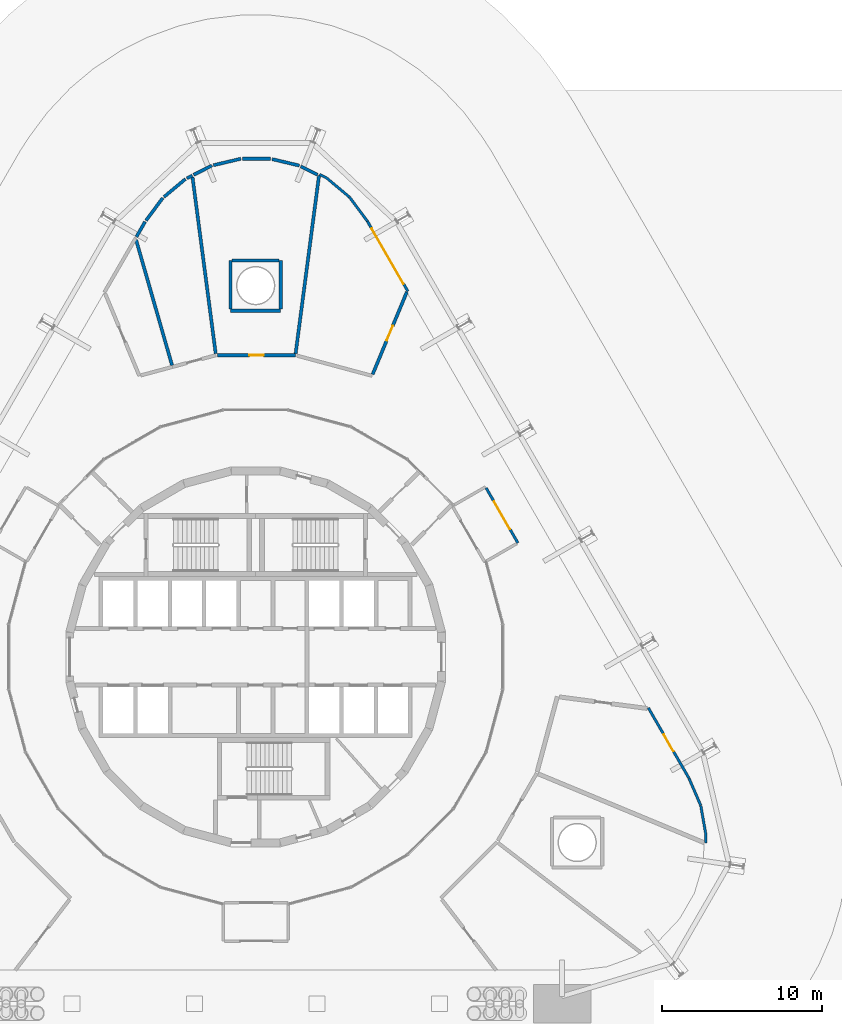
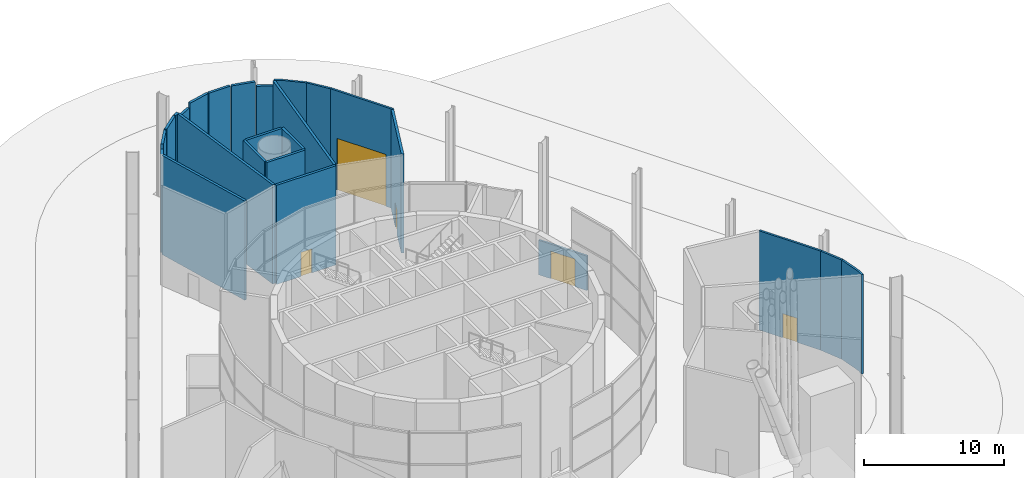
# One storey, part 18 of 21: 25 walls, 5 doors, 5 openings.
"""IFC4 building model written with IfcOpenShell, lengths in metres."""

from ifc_helpers import new_model, si_unit, direction, frame, frame_2d, origin, place, context, subcontext, project, spatial, polyline, rectangle, outline, extrude, material, layer, layer_set, type_object, element, fill, save


model = new_model("IFC4")

# Units and contexts
model_context = context("Model", 3, precision=1e-05, world=origin(), true_north=direction((0.0, 1.0)))
body_context = subcontext(model_context, "Body", "Model", "MODEL_VIEW")
ifc_project = project(units=[si_unit("LENGTHUNIT", "METRE"), si_unit("AREAUNIT", "SQUARE_METRE"), si_unit("VOLUMEUNIT", "CUBIC_METRE"), si_unit("PLANEANGLEUNIT", "RADIAN"), si_unit("MASSUNIT", "GRAM", prefix="KILO")], contexts=[model_context])

# Site, building, storey
site_placement = place(None, origin())
site = spatial("IfcSite", under=ifc_project, at=site_placement, CompositionType="ELEMENT")
building_placement = place(site_placement, origin())
building = spatial("IfcBuilding", under=site, at=building_placement, Name="Spindle Arch Residences", CompositionType="ELEMENT")
storey_placement = place(building_placement, origin())
storey = spatial("IfcBuildingStorey", under=building, at=storey_placement, Name="L00", CompositionType="ELEMENT", Elevation=0.0)

# Wall, opening, door
ifc_material_1 = material(Name="Non-combustible mineral wool insulated aluminium faced external wall (K0)", Category="aluminium")
ifc_layer_1 = layer(ifc_material_1, 0.159912109375)
ifc_layer_set_1 = layer_set([ifc_layer_1], Name="Entrance vestibule wall 160")
wall_type_1 = type_object("IfcWallType", Name="Entrance vestibule wall 160", PredefinedType="STANDARD", material=ifc_layer_set_1)
wall_1_placement = place(storey_placement, frame((9.5380859375, 22.8994140625, 0.0), z_axis=(0.0, 0.0, 1.0), x_axis=(-0.499994189038, 0.866028758719, 0.0)))
wall_1 = element("IfcWall", 1, at=wall_1_placement, inside=storey, type_object=wall_type_1, Name="External wall Loading bay", PredefinedType="STANDARD", context=body_context, shape_type="SweptSolid", body=[
    extrude(rectangle(XDim=5.0810546875, YDim=0.159912109375, at=frame_2d((2.54052734375, 0.0))), origin(), (0.0, 0.0, 1.0), 8.6201171875),
])
opening_1_placement = place(wall_1_placement, frame((0.541015625, 0.0, 0.0)))
opening_1 = element("IfcOpeningElement", 2, at=opening_1_placement, cuts=wall_1, Name="Opening LOADING-DOOR", PredefinedType="OPENING", context=body_context, shape_type="SweptSolid", body=[
    extrude(rectangle(XDim=4.0, YDim=4.5, at=frame_2d((2.0, 2.25))), frame((0.0, 0.08984375, 0.0), z_axis=(0.0, -1.0, 0.0), x_axis=(1.0, 0.0, 0.0)), (0.0, 0.0, 1.0), 0.179931640625),
])
ifc_material_2 = material(Name="Insulated aluminium roller shutter", Category="aluminium")
door_type_1 = type_object("IfcDoorType", Name="Loading bay roller shutter door 4000x4500", OperationType="ROLLINGUP", PredefinedType="DOOR", material=ifc_material_2)
door_1_placement = place(opening_1_placement, origin())
door_1 = element("IfcDoor", 3, at=door_1_placement, inside=storey, type_object=door_type_1, Name="Loading bay door", OperationType="ROLLINGUP", OverallHeight=4.5, OverallWidth=4.0, PredefinedType="DOOR", context=body_context, shape_type="SweptSolid", body=[
    extrude(rectangle(XDim=4.0, YDim=4.5, at=frame_2d((2.0, 2.25))), frame((0.0, 0.02490234375, 0.0), z_axis=(0.0, -1.0, 0.0), x_axis=(1.0, 0.0, 0.0)), (0.0, 0.0, 1.0), 0.050048828125),
])
fill(opening_1, door_1)

# Walls
wall_2_placement = place(storey_placement, origin())
element("IfcWall", 4, at=wall_2_placement, inside=storey, type_object=wall_type_1, Name="External wall Loading bay 2", PredefinedType="STANDARD", context=body_context, shape_type="SweptSolid", body=[
    extrude(outline(polyline([(5.819091796875, 28.749755859375), (6.92822265625, 27.259765625), (7.056640625, 27.355224609375), (5.947265625, 28.845458984375), (5.819091796875, 28.749755859375)])), origin(), (0.0, 0.0, 1.0), 8.6201171875),
])
wall_3_placement = place(storey_placement, origin())
element("IfcWall", 5, at=wall_3_placement, inside=storey, type_object=wall_type_1, Name="External wall Loading bay 3", PredefinedType="STANDARD", context=body_context, shape_type="SweptSolid", body=[
    extrude(outline(polyline([(3.97021484375, 30.157470703125), (4.39599609375, 29.943603515625), (5.819091796875, 28.749755859375), (5.921875, 28.872314453125), (4.4833984375, 30.076416015625), (4.042236328125, 30.300537109375), (3.97021484375, 30.157470703125)])), origin(), (0.0, 0.0, 1.0), 8.6201171875),
])

# Wall, opening, door
wall_4_placement = place(storey_placement, frame((27.14111328125, -7.58984375, 0.0), z_axis=(0.0, 0.0, 1.0), x_axis=(-0.500014995272, 0.866016746087, 0.0)))
wall_4 = element("IfcWall", 6, at=wall_4_placement, inside=storey, type_object=wall_type_1, Name="External wall Fire command room", PredefinedType="STANDARD", context=body_context, shape_type="SweptSolid", body=[
    extrude(rectangle(XDim=5.080810546875, YDim=0.159912109375, at=frame_2d((2.54052734375, 0.0))), origin(), (0.0, 0.0, 1.0), 8.6201171875),
])
opening_2_placement = place(wall_4_placement, frame((1.940185546875, 0.0, 0.0)))
opening_2 = element("IfcOpeningElement", 7, at=opening_2_placement, cuts=wall_4, Name="Opening FIRE-POST-DOOR", PredefinedType="OPENING", context=body_context, shape_type="SweptSolid", body=[
    extrude(rectangle(XDim=1.199951171875, YDim=2.10009765625, at=frame_2d((0.60009765625, 1.050048828125))), frame((0.0, 0.08984375, 0.0), z_axis=(0.0, -1.0, 0.0), x_axis=(1.0, 0.0, 0.0)), (0.0, 0.0, 1.0), 0.179931640625),
])
ifc_material_3 = material(Name="Fire-resisting insulated door leaf in a bronze aluminium frame", Category="aluminium")
door_type_2 = type_object("IfcDoorType", Name="Fire post door 1200x2100 EI 60", OperationType="SINGLE_SWING_LEFT", PredefinedType="DOOR", material=ifc_material_3)
door_2_placement = place(opening_2_placement, origin())
door_2 = element("IfcDoor", 8, at=door_2_placement, inside=storey, type_object=door_type_2, Name="Fire command room door", OperationType="SINGLE_SWING_LEFT", OverallHeight=2.10009765625, OverallWidth=1.199951171875, PredefinedType="DOOR", context=body_context, shape_type="SweptSolid", body=[
    extrude(rectangle(XDim=1.199951171875, YDim=2.10009765625, at=frame_2d((0.60009765625, 1.050048828125))), frame((0.0, 0.02490234375, 0.0), z_axis=(0.0, -1.0, 0.0), x_axis=(1.0, 0.0, 0.0)), (0.0, 0.0, 1.0), 0.050048828125),
])
fill(opening_2, door_2)

# Walls
wall_5_placement = place(storey_placement, origin())
element("IfcWall", 9, at=wall_5_placement, inside=storey, type_object=wall_type_1, Name="External wall Fire command room 2", PredefinedType="STANDARD", context=body_context, shape_type="SweptSolid", body=[
    extrude(outline(polyline([(27.8076171875, -9.33544921875), (28.130126953125, -11.164794921875), (28.102294921875, -11.640380859375), (28.26220703125, -11.649658203125), (28.288818359375, -11.155517578125), (27.965087890625, -9.3076171875), (27.8076171875, -9.33544921875)])), origin(), (0.0, 0.0, 1.0), 8.6201171875),
])
wall_6_placement = place(storey_placement, origin())
element("IfcWall", 10, at=wall_6_placement, inside=storey, type_object=wall_type_1, Name="External wall Fire command room 3", PredefinedType="STANDARD", context=body_context, shape_type="SweptSolid", body=[
    extrude(outline(polyline([(27.07177734375, -7.6298828125), (27.8076171875, -9.33544921875), (27.954345703125, -9.272216796875), (27.21875, -7.566650390625), (27.07177734375, -7.6298828125)])), origin(), (0.0, 0.0, 1.0), 8.6201171875),
])

# Wall, opening, door
ifc_material_4 = material(Name="Concrete C40/50 wall with non-combustible insulated cladding (K0)", Category="concrete")
ifc_layer_2 = layer(ifc_material_4, 0.159912109375)
ifc_layer_set_2 = layer_set([ifc_layer_2], Name="Partition E 60 160 external")
wall_type_2 = type_object("IfcWallType", Name="Partition E 60 160 external", PredefinedType="PARTITIONING", material=ifc_layer_set_2)
wall_7_placement = place(storey_placement, frame((14.43994140625, 10.580810546875, 0.0), z_axis=(0.0, 0.0, 1.0), x_axis=(0.500636730463, -0.865657475051, 0.0)))
wall_7 = element("IfcWall", 11, at=wall_7_placement, inside=storey, type_object=wall_type_2, Name="L00-W049", PredefinedType="PARTITIONING", context=body_context, shape_type="SweptSolid", body=[
    extrude(rectangle(XDim=3.974853515625, YDim=0.159912109375, at=frame_2d((1.9873046875, 0.0))), origin(), (0.0, 0.0, 1.0), 3.0),
])
opening_3_placement = place(wall_7_placement, frame((0.9873046875, 0.0, 0.0)))
opening_3 = element("IfcOpeningElement", 12, at=opening_3_placement, cuts=wall_7, Name="Opening L00-D11", PredefinedType="OPENING", context=body_context, shape_type="SweptSolid", body=[
    extrude(rectangle(XDim=2.0, YDim=2.39990234375, at=frame_2d((1.0, 1.199951171875))), frame((0.0, 0.08984375, 0.0), z_axis=(0.0, -1.0, 0.0), x_axis=(1.0, 0.0, 0.0)), (0.0, 0.0, 1.0), 0.179931640625),
])
ifc_material_5 = material(Name="Bronze aluminium frame, toughened tinted glass", Category="aluminium")
door_type_3 = type_object("IfcDoorType", Name="Lobby entrance double door EI 60 2000x2400", OperationType="DOUBLE_DOOR_SINGLE_SWING", PredefinedType="DOOR", material=ifc_material_5)
door_3_placement = place(opening_3_placement, origin())
door_3 = element("IfcDoor", 13, at=door_3_placement, inside=storey, type_object=door_type_3, Name="L00-D11", OperationType="DOUBLE_DOOR_SINGLE_SWING", OverallHeight=2.39990234375, OverallWidth=2.0, PredefinedType="DOOR", context=body_context, shape_type="SweptSolid", body=[
    extrude(rectangle(XDim=2.0, YDim=2.39990234375, at=frame_2d((1.0, 1.199951171875))), frame((0.0, 0.02490234375, 0.0), z_axis=(0.0, -1.0, 0.0), x_axis=(1.0, 0.0, 0.0)), (0.0, 0.0, 1.0), 0.050048828125),
])
fill(opening_3, door_3)

# Walls
ifc_material_6 = material(Name="Gypsum board partition on steel studs", Category="steel")
ifc_layer_3 = layer(ifc_material_6, 0.199951171875)
ifc_layer_set_3 = layer_set([ifc_layer_3], Name="Partition EI 60 200 amenity")
wall_type_3 = type_object("IfcWallType", Name="Partition EI 60 200 amenity", PredefinedType="PARTITIONING", material=ifc_layer_set_3)
wall_8_placement = place(storey_placement, frame((-7.47021484375, 26.316650390625, 0.0), z_axis=(0.0, 0.0, 1.0), x_axis=(0.496985178768, 0.867759028812, 0.0)))
element("IfcWall", 14, at=wall_8_placement, inside=storey, type_object=wall_type_3, Name="L00-W018", PredefinedType="PARTITIONING", context=body_context, shape_type="SweptSolid", body=[
    extrude(rectangle(XDim=1.087158203125, YDim=0.199951171875, at=frame_2d((0.54345703125, 0.0))), origin(), (0.0, 0.0, 1.0), 8.22998046875),
])
wall_9_placement = place(storey_placement, frame((-6.870361328125, 27.340087890625, 0.0), z_axis=(0.0, 0.0, 1.0), x_axis=(0.597397279316, 0.801945441202, 0.0)))
element("IfcWall", 15, at=wall_9_placement, inside=storey, type_object=wall_type_3, Name="L00-W020", PredefinedType="PARTITIONING", context=body_context, shape_type="SweptSolid", body=[
    extrude(rectangle(XDim=1.758056640625, YDim=0.199951171875, at=frame_2d((0.87890625, 0.0))), origin(), (0.0, 0.0, 1.0), 8.6201171875),
])
wall_10_placement = place(storey_placement, frame((-5.743408203125, 28.814208984375, 0.0), z_axis=(0.0, 0.0, 1.0), x_axis=(0.766494536171, 0.642250827964, 0.0)))
element("IfcWall", 16, at=wall_10_placement, inside=storey, type_object=wall_type_3, Name="L00-W021", PredefinedType="PARTITIONING", context=body_context, shape_type="SweptSolid", body=[
    extrude(rectangle(XDim=1.752685546875, YDim=0.199951171875, at=frame_2d((0.87646484375, 0.0))), origin(), (0.0, 0.0, 1.0), 8.6201171875),
])
wall_11_placement = place(storey_placement, frame((-5.237548828125, 18.26611328125, 0.0), z_axis=(0.0, 0.0, 1.0), x_axis=(-0.275508995385, 0.961298493425, 0.0)))
element("IfcWall", 17, at=wall_11_placement, inside=storey, type_object=wall_type_3, Name="L00-W022", PredefinedType="PARTITIONING", context=body_context, shape_type="SweptSolid", body=[
    extrude(rectangle(XDim=8.184326171875, YDim=0.199951171875, at=frame_2d((4.09228515625, 0.0))), origin(), (0.0, 0.0, 1.0), 8.6201171875),
])
wall_12_placement = place(storey_placement, frame((-4.31103515625, 29.985595703125, 0.0), z_axis=(0.0, 0.0, 1.0), x_axis=(0.890440422172, 0.455099829227, 0.0)))
element("IfcWall", 18, at=wall_12_placement, inside=storey, type_object=wall_type_3, Name="L00-W024", PredefinedType="PARTITIONING", context=body_context, shape_type="SweptSolid", body=[
    extrude(rectangle(XDim=0.383056640625, YDim=0.199951171875, at=frame_2d((0.19140625, 0.0))), origin(), (0.0, 0.0, 1.0), 8.6201171875),
])
wall_13_placement = place(storey_placement, frame((-3.880615234375, 30.205078125, 0.0), z_axis=(0.0, 0.0, 1.0), x_axis=(0.892969867653, 0.450116446559, 0.0)))
element("IfcWall", 19, at=wall_13_placement, inside=storey, type_object=wall_type_3, Name="L00-W025", PredefinedType="PARTITIONING", context=body_context, shape_type="SweptSolid", body=[
    extrude(rectangle(XDim=1.27734375, YDim=0.199951171875, at=frame_2d((0.638671875, 0.0))), origin(), (0.0, 0.0, 1.0), 8.22998046875),
])
wall_14_placement = place(storey_placement, frame((-2.642822265625, 30.80322265625, 0.0), z_axis=(0.0, 0.0, 1.0), x_axis=(0.972945902967, 0.231033049365, 0.0)))
element("IfcWall", 20, at=wall_14_placement, inside=storey, type_object=wall_type_3, Name="L00-W026", PredefinedType="PARTITIONING", context=body_context, shape_type="SweptSolid", body=[
    extrude(rectangle(XDim=1.760498046875, YDim=0.199951171875, at=frame_2d((0.88037109375, 0.0))), origin(), (0.0, 0.0, 1.0), 8.6201171875),
])
wall_15_placement = place(storey_placement, frame((-2.5029296875, 18.999267578125, 0.0), z_axis=(0.0, 0.0, 1.0), x_axis=(-0.130334505776, 0.991470078522, 0.0)))
element("IfcWall", 21, at=wall_15_placement, inside=storey, type_object=wall_type_3, Name="L00-W028", PredefinedType="PARTITIONING", context=body_context, shape_type="SweptSolid", body=[
    extrude(rectangle(XDim=11.15673828125, YDim=0.199951171875, at=frame_2d((5.578369140625, 0.0))), origin(), (0.0, 0.0, 1.0), 8.6201171875),
])
wall_16_placement = place(storey_placement, frame((-1.570068359375, 21.68994140625, 0.0), z_axis=(0.0, 0.0, 1.0), x_axis=(1.0, 0.0, 0.0)))
element("IfcWall", 22, at=wall_16_placement, inside=storey, type_object=wall_type_3, Name="L00-W031", PredefinedType="PARTITIONING", context=body_context, shape_type="SweptSolid", body=[
    extrude(rectangle(XDim=3.14013671875, YDim=0.199951171875, at=frame_2d((1.570068359375, 0.0))), origin(), (0.0, 0.0, 1.0), 8.6201171875),
])
wall_17_placement = place(storey_placement, frame((-1.570068359375, 24.830078125, 0.0), z_axis=(0.0, 0.0, 1.0), x_axis=(0.0, -1.0, 0.0)))
element("IfcWall", 23, at=wall_17_placement, inside=storey, type_object=wall_type_3, Name="L00-W032", PredefinedType="PARTITIONING", context=body_context, shape_type="SweptSolid", body=[
    extrude(rectangle(XDim=3.0400390625, YDim=0.199951171875, at=frame_2d((1.52001953125, 0.0))), origin(), (0.0, 0.0, 1.0), 8.6201171875),
])
wall_18_placement = place(storey_placement, frame((-0.830078125, 31.2099609375, 0.0), z_axis=(0.0, 0.0, 1.0), x_axis=(1.0, 0.0, 0.0)))
element("IfcWall", 24, at=wall_18_placement, inside=storey, type_object=wall_type_3, Name="L00-W033", PredefinedType="PARTITIONING", context=body_context, shape_type="SweptSolid", body=[
    extrude(rectangle(XDim=1.760009765625, YDim=0.199951171875, at=frame_2d((0.8798828125, 0.0))), origin(), (0.0, 0.0, 1.0), 8.6201171875),
])
wall_19_placement = place(storey_placement, frame((1.02734375, 31.186767578125, 0.0), z_axis=(0.0, 0.0, 1.0), x_axis=(0.972938499499, -0.231064225255, 0.0)))
element("IfcWall", 25, at=wall_19_placement, inside=storey, type_object=wall_type_3, Name="L00-W034", PredefinedType="PARTITIONING", context=body_context, shape_type="SweptSolid", body=[
    extrude(rectangle(XDim=1.76025390625, YDim=0.199951171875, at=frame_2d((0.880126953125, 0.0))), origin(), (0.0, 0.0, 1.0), 8.6201171875),
])
wall_20_placement = place(storey_placement, frame((1.570068359375, 21.7900390625, 0.0), z_axis=(0.0, 0.0, 1.0), x_axis=(0.0, 1.0, 0.0)))
element("IfcWall", 26, at=wall_20_placement, inside=storey, type_object=wall_type_3, Name="L00-W035", PredefinedType="PARTITIONING", context=body_context, shape_type="SweptSolid", body=[
    extrude(rectangle(XDim=3.0400390625, YDim=0.199951171875, at=frame_2d((1.52001953125, 0.0))), origin(), (0.0, 0.0, 1.0), 8.6201171875),
])
wall_21_placement = place(storey_placement, frame((1.469970703125, 24.830078125, 0.0), z_axis=(0.0, 0.0, 1.0), x_axis=(-1.0, 0.0, 0.0)))
element("IfcWall", 27, at=wall_21_placement, inside=storey, type_object=wall_type_3, Name="L00-W036", PredefinedType="PARTITIONING", context=body_context, shape_type="SweptSolid", body=[
    extrude(rectangle(XDim=2.93994140625, YDim=0.199951171875, at=frame_2d((1.469970703125, 0.0))), origin(), (0.0, 0.0, 1.0), 8.6201171875),
])

# Wall, opening, door
wall_22_placement = place(storey_placement, frame((2.489990234375, 18.89990234375, 0.0), z_axis=(0.0, 0.0, 1.0), x_axis=(-1.0, 0.0, 0.0)))
wall_22 = element("IfcWall", 28, at=wall_22_placement, inside=storey, type_object=wall_type_3, Name="L00-W039", PredefinedType="PARTITIONING", context=body_context, shape_type="SweptSolid", body=[
    extrude(rectangle(XDim=4.8798828125, YDim=0.199951171875, at=frame_2d((2.43994140625, 0.0))), origin(), (0.0, 0.0, 1.0), 8.6201171875),
])
opening_4_placement = place(wall_22_placement, frame((1.989990234375, 0.0, 0.0)))
opening_4 = element("IfcOpeningElement", 29, at=opening_4_placement, cuts=wall_22, Name="Opening L00-D15", PredefinedType="OPENING", context=body_context, shape_type="SweptSolid", body=[
    extrude(rectangle(XDim=0.89990234375, YDim=2.10009765625, at=frame_2d((0.449951171875, 1.050048828125))), frame((0.0, 0.10986328125, 0.0), z_axis=(0.0, -1.0, 0.0), x_axis=(1.0, 0.0, 0.0)), (0.0, 0.0, 1.0), 0.219970703125),
])
ifc_material_7 = material(Name="Timber door leaf", Category="wood")
door_type_4 = type_object("IfcDoorType", Name="Door 900x2100 EI 30", OperationType="SINGLE_SWING_LEFT", PredefinedType="DOOR", material=ifc_material_7)
door_4_placement = place(opening_4_placement, origin())
door_4 = element("IfcDoor", 30, at=door_4_placement, inside=storey, type_object=door_type_4, Name="L00-D15", OperationType="SINGLE_SWING_LEFT", OverallHeight=2.10009765625, OverallWidth=0.89990234375, PredefinedType="DOOR", context=body_context, shape_type="SweptSolid", body=[
    extrude(rectangle(XDim=0.89990234375, YDim=2.10009765625, at=frame_2d((0.449951171875, 1.050048828125))), frame((0.0, 0.02490234375, 0.0), z_axis=(0.0, -1.0, 0.0), x_axis=(1.0, 0.0, 0.0)), (0.0, 0.0, 1.0), 0.050048828125),
])
fill(opening_4, door_4)

# Walls
wall_23_placement = place(storey_placement, frame((2.5029296875, 18.999267578125, 0.0), z_axis=(0.0, 0.0, 1.0), x_axis=(0.130326594714, 0.991471118445, 0.0)))
element("IfcWall", 31, at=wall_23_placement, inside=storey, type_object=wall_type_3, Name="L00-W040", PredefinedType="PARTITIONING", context=body_context, shape_type="SweptSolid", body=[
    extrude(rectangle(XDim=11.256591796875, YDim=0.199951171875, at=frame_2d((5.62841796875, 0.0))), origin(), (0.0, 0.0, 1.0), 8.6201171875),
])
wall_24_placement = place(storey_placement, frame((2.829345703125, 30.735107421875, 0.0), z_axis=(0.0, 0.0, 1.0), x_axis=(0.892929152467, -0.45019721087, 0.0)))
element("IfcWall", 32, at=wall_24_placement, inside=storey, type_object=wall_type_3, Name="L00-W041", PredefinedType="PARTITIONING", context=body_context, shape_type="SweptSolid", body=[
    extrude(rectangle(XDim=1.17724609375, YDim=0.199951171875, at=frame_2d((0.588623046875, 0.0))), origin(), (0.0, 0.0, 1.0), 8.22998046875),
])

# Wall, opening, door
wall_25_placement = place(storey_placement, frame((9.469970703125, 22.860107421875, 0.0), z_axis=(0.0, 0.0, 1.0), x_axis=(-0.383478988028, -0.923549601127, 0.0)))
wall_25 = element("IfcWall", 33, at=wall_25_placement, inside=storey, type_object=wall_type_3, Name="L00-W044", PredefinedType="PARTITIONING", context=body_context, shape_type="SweptSolid", body=[
    extrude(rectangle(XDim=5.584716796875, YDim=0.199951171875, at=frame_2d((2.79248046875, 0.0))), origin(), (0.0, 0.0, 1.0), 8.6201171875),
])
opening_5_placement = place(wall_25_placement, frame((2.292236328125, 0.0, 0.0)))
opening_5 = element("IfcOpeningElement", 34, at=opening_5_placement, cuts=wall_25, Name="Opening L00-D13", PredefinedType="OPENING", context=body_context, shape_type="SweptSolid", body=[
    extrude(rectangle(XDim=1.0, YDim=2.10009765625, at=frame_2d((0.5, 1.050048828125))), frame((0.0, 0.10986328125, 0.0), z_axis=(0.0, -1.0, 0.0), x_axis=(1.0, 0.0, 0.0)), (0.0, 0.0, 1.0), 0.219970703125),
])
ifc_material_8 = material(Name="Timber door leaf", Category="wood")
door_type_5 = type_object("IfcDoorType", Name="Door 1000x2100 EI 30", OperationType="SINGLE_SWING_LEFT", PredefinedType="DOOR", material=ifc_material_8)
door_5_placement = place(opening_5_placement, origin())
door_5 = element("IfcDoor", 35, at=door_5_placement, inside=storey, type_object=door_type_5, Name="L00-D13", OperationType="SINGLE_SWING_LEFT", OverallHeight=2.10009765625, OverallWidth=1.0, PredefinedType="DOOR", context=body_context, shape_type="SweptSolid", body=[
    extrude(rectangle(XDim=1.0, YDim=2.10009765625, at=frame_2d((0.5, 1.050048828125))), frame((0.0, 0.02490234375, 0.0), z_axis=(0.0, -1.0, 0.0), x_axis=(1.0, 0.0, 0.0)), (0.0, 0.0, 1.0), 0.050048828125),
])
fill(opening_5, door_5)

save(model, "model.ifc")
